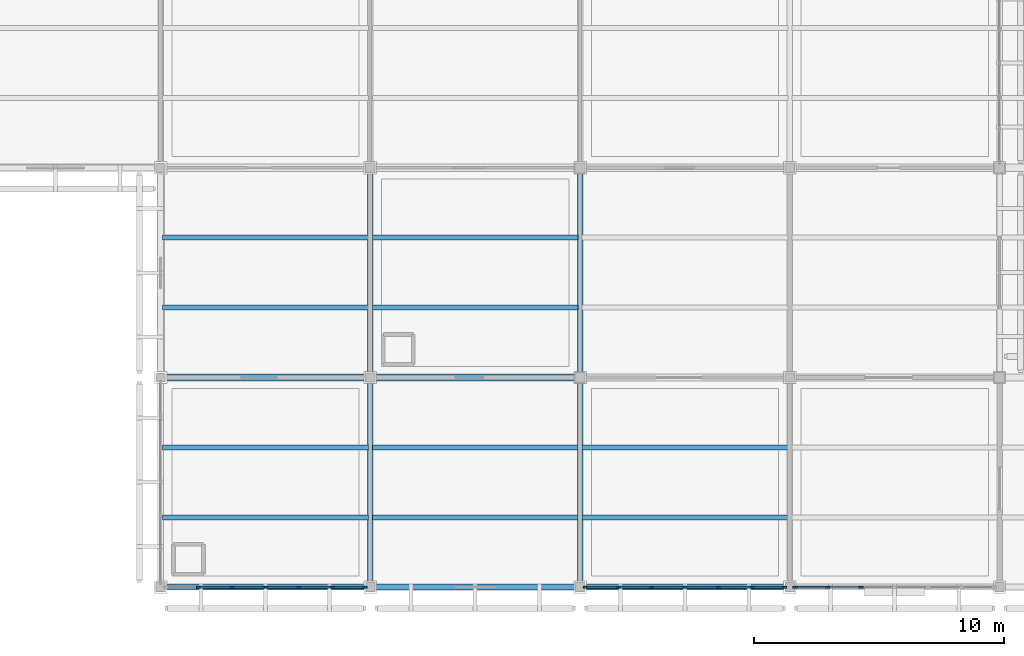
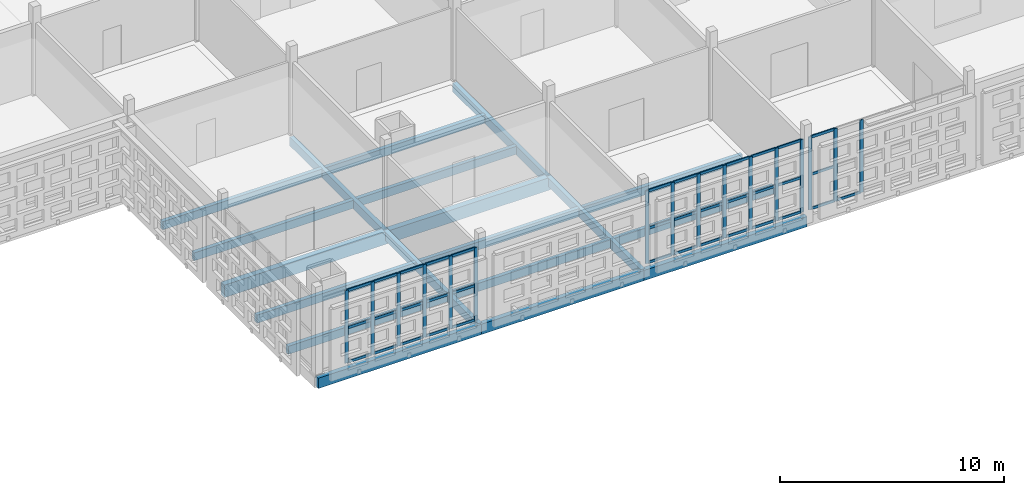
# One storey, part 65 of 203: 53 members, 19 beams, 3 elements without a shape of their own.
"""IFC4 building model written with IfcOpenShell, lengths in metres."""

from ifc_helpers import new_model, si_unit, direction, frame, origin, origin_2d, place, context, subcontext, project, spatial, rectangle, extrude, material, layer, layer_set, material_profile, profile_set, type_object, element, aggregate, save


model = new_model("IFC4")

# Units and contexts
model_context = context("Model", 3, precision=1e-05, world=origin(), true_north=direction((0.0, 1.0)))
body_context = subcontext(model_context, "Body", "Model", "MODEL_VIEW")
ifc_project = project(units=[si_unit("LENGTHUNIT", "METRE"), si_unit("AREAUNIT", "SQUARE_METRE"), si_unit("VOLUMEUNIT", "CUBIC_METRE"), si_unit("PLANEANGLEUNIT", "RADIAN"), si_unit("MASSUNIT", "GRAM", prefix="KILO")], contexts=[model_context])

# Site, building, storey
site_placement = place(None, origin())
site = spatial("IfcSite", under=ifc_project, at=site_placement, CompositionType="ELEMENT")
building_placement = place(site_placement, origin())
building = spatial("IfcBuilding", under=site, at=building_placement, Name="Varnapada Polytechnic", CompositionType="ELEMENT")
storey_placement = place(building_placement, frame((0.0, 0.0, 4.800048828125)))
storey = spatial("IfcBuildingStorey", under=building, at=storey_placement, Name="L01", CompositionType="ELEMENT", Elevation=4.800048828125)

# Beams
ifc_material_1 = material(Name="Glulam GL32h", Category="wood")
ifc_material_profile_1 = material_profile(ifc_material_1, rectangle(XDim=0.199951171875, YDim=0.43994140625, at=origin_2d()), Name="GL 200x440")
ifc_profile_set_1 = profile_set([ifc_material_profile_1], Name="Glulam GL32h")
beam_type_1 = type_object("IfcBeamType", Name="Heavy laboratory glulam joist GJ-03 (GL 200x440)", PredefinedType="JOIST", material=ifc_profile_set_1)
for number, where, z_axis, x_axis, name in (
    (1, (126.080078125, 2.800048828125, -0.469970703125), (1.0, 0.0, 0.0), (0.0, 1.0, 0.0), "L01 floor joist 16/1.1"),
    (2, (126.080078125, 5.60009765625, -0.469970703125), (1.0, 0.0, 0.0), (0.0, 1.0, 0.0), "L01 floor joist 16/1.2"),
    (3, (126.080078125, 11.199951171875, -0.469970703125), (1.0, 0.0, 0.0), (0.0, 1.0, 0.0), "L01 floor joist 16/2.1"),
    (4, (126.080078125, 14.0, -0.469970703125), (1.0, 0.0, 0.0), (0.0, 1.0, 0.0), "L01 floor joist 16/2.2"),
    (5, (134.47998046875, 2.800048828125, -0.469970703125), (1.0, 0.0, 0.0), (0.0, 1.0, 0.0), "L01 floor joist 17/1.1"),
    (6, (134.47998046875, 5.60009765625, -0.469970703125), (1.0, 0.0, 0.0), (0.0, 1.0, 0.0), "L01 floor joist 17/1.2"),
    (7, (134.47998046875, 11.199951171875, -0.469970703125), (1.0, 0.0, 0.0), (0.0, 1.0, 0.0), "L01 floor joist 17/2.1"),
    (8, (134.47998046875, 14.0, -0.469970703125), (1.0, 0.0, 0.0), (0.0, 1.0, 0.0), "L01 floor joist 17/2.2"),
):
    element("IfcBeam", number, at=place(storey_placement, frame(where, z_axis=z_axis, x_axis=x_axis)), inside=storey, type_object=beam_type_1, Name=name, PredefinedType="JOIST", context=body_context, shape_type="SweptSolid", body=[
        extrude(rectangle(XDim=0.199951171875, YDim=0.43994140625, at=origin_2d()), origin(), (0.0, 0.0, 1.0), 8.239990234375),
    ])
for number, where, z_axis, x_axis, name in (
    (9, (142.8798828125, 2.800048828125, -0.469970703125), (1.0, 0.0, 0.0), (0.0, 1.0, 0.0), "L01 floor joist 18/1.1"),
    (10, (142.8798828125, 5.60009765625, -0.469970703125), (1.0, 0.0, 0.0), (0.0, 1.0, 0.0), "L01 floor joist 18/1.2"),
):
    element("IfcBeam", number, at=place(storey_placement, frame(where, z_axis=z_axis, x_axis=x_axis)), inside=storey, type_object=beam_type_1, Name=name, PredefinedType="JOIST", context=body_context, shape_type="SweptSolid", body=[
        extrude(rectangle(XDim=0.199951171875, YDim=0.43994140625, at=origin_2d()), origin(), (0.0, 0.0, 1.0), 8.240234375),
    ])

# Curtain wall, members
ifc_material_2 = material(Name="Double low-E laminated glass", Category="glass")
ifc_layer = layer(ifc_material_2, 0.179931640625)
ifc_layer_set = layer_set([ifc_layer], Name="Double low-E laminated glass")
curtain_wall_type = type_object("IfcCurtainWallType", Name="Curtain Wall CW-04", PredefinedType="NOTDEFINED", material=ifc_layer_set)
curtain_wall_1_placement = place(storey_placement, origin())
curtain_wall_1 = element("IfcCurtainWall", 11, at=curtain_wall_1_placement, inside=storey, type_object=curtain_wall_type, Name="L01 unitised curtain wall CW-04 (92)", PredefinedType="NOTDEFINED")
ifc_material_3 = material(Name="Anodised aluminium", Category="aluminium")
ifc_material_profile_2 = material_profile(ifc_material_3, rectangle(XDim=0.06494140625, YDim=0.179931640625, at=origin_2d()), Name="ALU M65x180")
ifc_profile_set_2 = profile_set([ifc_material_profile_2], Name="Anodised aluminium")
member_type_1 = type_object("IfcMemberType", Name="Mullion M-02", PredefinedType="MULLION", material=ifc_profile_set_2)
member_1_placement = place(storey_placement, frame((134.1875, 0.0, 0.0), z_axis=(0.0, 0.0, 1.0), x_axis=(0.0, -1.0, 0.0)))
member_1 = element("IfcMember", 12, at=member_1_placement, type_object=member_type_1, Name="CW-04 mullion 1", PredefinedType="MULLION", context=body_context, shape_type="SweptSolid", body=[
    extrude(rectangle(XDim=0.06494140625, YDim=0.179931640625, at=origin_2d()), origin(), (0.0, 0.0, 1.0), 3.9599609375),
])
member_2_placement = place(storey_placement, frame((132.8798828125, 0.0, 0.0), z_axis=(0.0, 0.0, 1.0), x_axis=(0.0, -1.0, 0.0)))
member_2 = element("IfcMember", 13, at=member_2_placement, type_object=member_type_1, Name="CW-04 mullion 2", PredefinedType="MULLION", context=body_context, shape_type="SweptSolid", body=[
    extrude(rectangle(XDim=0.06494140625, YDim=0.179931640625, at=origin_2d()), origin(), (0.0, 0.0, 1.0), 3.9599609375),
])
member_3_placement = place(storey_placement, frame((131.5400390625, 0.0, 0.0), z_axis=(0.0, 0.0, 1.0), x_axis=(0.0, -1.0, 0.0)))
member_3 = element("IfcMember", 14, at=member_3_placement, type_object=member_type_1, Name="CW-04 mullion 3", PredefinedType="MULLION", context=body_context, shape_type="SweptSolid", body=[
    extrude(rectangle(XDim=0.06494140625, YDim=0.179931640625, at=origin_2d()), origin(), (0.0, 0.0, 1.0), 3.9599609375),
])
member_4_placement = place(storey_placement, frame((130.199951171875, 0.0, 0.0), z_axis=(0.0, 0.0, 1.0), x_axis=(0.0, -1.0, 0.0)))
member_4 = element("IfcMember", 15, at=member_4_placement, type_object=member_type_1, Name="CW-04 mullion 4", PredefinedType="MULLION", context=body_context, shape_type="SweptSolid", body=[
    extrude(rectangle(XDim=0.06494140625, YDim=0.179931640625, at=origin_2d()), origin(), (0.0, 0.0, 1.0), 3.9599609375),
])
member_5_placement = place(storey_placement, frame((128.860107421875, 0.0, 0.0), z_axis=(0.0, 0.0, 1.0), x_axis=(0.0, -1.0, 0.0)))
member_5 = element("IfcMember", 16, at=member_5_placement, type_object=member_type_1, Name="CW-04 mullion 5", PredefinedType="MULLION", context=body_context, shape_type="SweptSolid", body=[
    extrude(rectangle(XDim=0.06494140625, YDim=0.179931640625, at=origin_2d()), origin(), (0.0, 0.0, 1.0), 3.9599609375),
])
member_6_placement = place(storey_placement, frame((127.52001953125, 0.0, 0.0), z_axis=(0.0, 0.0, 1.0), x_axis=(0.0, -1.0, 0.0)))
member_6 = element("IfcMember", 17, at=member_6_placement, type_object=member_type_1, Name="CW-04 mullion 6", PredefinedType="MULLION", context=body_context, shape_type="SweptSolid", body=[
    extrude(rectangle(XDim=0.06494140625, YDim=0.179931640625, at=origin_2d()), origin(), (0.0, 0.0, 1.0), 3.9599609375),
])

curtain_wall_2_placement = place(storey_placement, origin())
curtain_wall_2 = element("IfcCurtainWall", 18, at=curtain_wall_2_placement, inside=storey, type_object=curtain_wall_type, Name="L01 unitised curtain wall CW-04 (106)", PredefinedType="NOTDEFINED")
member_7_placement = place(storey_placement, frame((150.987548828125, 0.0, 0.0), z_axis=(0.0, 0.0, 1.0), x_axis=(0.0, -1.0, 0.0)))
member_7 = element("IfcMember", 19, at=member_7_placement, type_object=member_type_1, Name="CW-04 mullion 1", PredefinedType="MULLION", context=body_context, shape_type="SweptSolid", body=[
    extrude(rectangle(XDim=0.06494140625, YDim=0.179931640625, at=origin_2d()), origin(), (0.0, 0.0, 1.0), 3.9599609375),
])
member_8_placement = place(storey_placement, frame((149.679931640625, 0.0, 0.0), z_axis=(0.0, 0.0, 1.0), x_axis=(0.0, -1.0, 0.0)))
member_8 = element("IfcMember", 20, at=member_8_placement, type_object=member_type_1, Name="CW-04 mullion 2", PredefinedType="MULLION", context=body_context, shape_type="SweptSolid", body=[
    extrude(rectangle(XDim=0.06494140625, YDim=0.179931640625, at=origin_2d()), origin(), (0.0, 0.0, 1.0), 3.9599609375),
])
member_9_placement = place(storey_placement, frame((148.340087890625, 0.0, 0.0), z_axis=(0.0, 0.0, 1.0), x_axis=(0.0, -1.0, 0.0)))
member_9 = element("IfcMember", 21, at=member_9_placement, type_object=member_type_1, Name="CW-04 mullion 3", PredefinedType="MULLION", context=body_context, shape_type="SweptSolid", body=[
    extrude(rectangle(XDim=0.06494140625, YDim=0.179931640625, at=origin_2d()), origin(), (0.0, 0.0, 1.0), 3.9599609375),
])
member_10_placement = place(storey_placement, frame((147.0, 0.0, 0.0), z_axis=(0.0, 0.0, 1.0), x_axis=(0.0, -1.0, 0.0)))
member_10 = element("IfcMember", 22, at=member_10_placement, type_object=member_type_1, Name="CW-04 mullion 4", PredefinedType="MULLION", context=body_context, shape_type="SweptSolid", body=[
    extrude(rectangle(XDim=0.06494140625, YDim=0.179931640625, at=origin_2d()), origin(), (0.0, 0.0, 1.0), 3.9599609375),
])
member_11_placement = place(storey_placement, frame((145.659912109375, 0.0, 0.0), z_axis=(0.0, 0.0, 1.0), x_axis=(0.0, -1.0, 0.0)))
member_11 = element("IfcMember", 23, at=member_11_placement, type_object=member_type_1, Name="CW-04 mullion 5", PredefinedType="MULLION", context=body_context, shape_type="SweptSolid", body=[
    extrude(rectangle(XDim=0.06494140625, YDim=0.179931640625, at=origin_2d()), origin(), (0.0, 0.0, 1.0), 3.9599609375),
])
member_12_placement = place(storey_placement, frame((144.320068359375, 0.0, 0.0), z_axis=(0.0, 0.0, 1.0), x_axis=(0.0, -1.0, 0.0)))
member_12 = element("IfcMember", 24, at=member_12_placement, type_object=member_type_1, Name="CW-04 mullion 6", PredefinedType="MULLION", context=body_context, shape_type="SweptSolid", body=[
    extrude(rectangle(XDim=0.06494140625, YDim=0.179931640625, at=origin_2d()), origin(), (0.0, 0.0, 1.0), 3.9599609375),
])
member_13_placement = place(storey_placement, frame((143.012451171875, 0.0, 0.0), z_axis=(0.0, 0.0, 1.0), x_axis=(0.0, -1.0, 0.0)))
member_13 = element("IfcMember", 25, at=member_13_placement, type_object=member_type_1, Name="CW-04 mullion 7", PredefinedType="MULLION", context=body_context, shape_type="SweptSolid", body=[
    extrude(rectangle(XDim=0.06494140625, YDim=0.179931640625, at=origin_2d()), origin(), (0.0, 0.0, 1.0), 3.9599609375),
])

curtain_wall_3_placement = place(storey_placement, origin())
curtain_wall_3 = element("IfcCurtainWall", 26, at=curtain_wall_3_placement, inside=storey, type_object=curtain_wall_type, Name="L01 unitised curtain wall CW-04 (109)", PredefinedType="NOTDEFINED")
member_14_placement = place(storey_placement, frame((154.06005859375, 0.0, 0.0), z_axis=(0.0, 0.0, 1.0), x_axis=(0.0, -1.0, 0.0)))
member_14 = element("IfcMember", 27, at=member_14_placement, type_object=member_type_1, Name="CW-04 mullion 5", PredefinedType="MULLION", context=body_context, shape_type="SweptSolid", body=[
    extrude(rectangle(XDim=0.06494140625, YDim=0.179931640625, at=origin_2d()), origin(), (0.0, 0.0, 1.0), 3.9599609375),
])
member_15_placement = place(storey_placement, frame((152.719970703125, 0.0, 0.0), z_axis=(0.0, 0.0, 1.0), x_axis=(0.0, -1.0, 0.0)))
member_15 = element("IfcMember", 28, at=member_15_placement, type_object=member_type_1, Name="CW-04 mullion 6", PredefinedType="MULLION", context=body_context, shape_type="SweptSolid", body=[
    extrude(rectangle(XDim=0.06494140625, YDim=0.179931640625, at=origin_2d()), origin(), (0.0, 0.0, 1.0), 3.9599609375),
])
member_16_placement = place(storey_placement, frame((151.41259765625, 0.0, 0.0), z_axis=(0.0, 0.0, 1.0), x_axis=(0.0, -1.0, 0.0)))
member_16 = element("IfcMember", 29, at=member_16_placement, type_object=member_type_1, Name="CW-04 mullion 7", PredefinedType="MULLION", context=body_context, shape_type="SweptSolid", body=[
    extrude(rectangle(XDim=0.06494140625, YDim=0.179931640625, at=origin_2d()), origin(), (0.0, 0.0, 1.0), 3.9599609375),
])

# Beams
ifc_material_profile_3 = material_profile(ifc_material_1, rectangle(XDim=0.239990234375, YDim=0.56005859375, at=origin_2d()), Name="GL 240x560")
ifc_profile_set_3 = profile_set([ifc_material_profile_3], Name="Glulam GL32h")
beam_type_2 = type_object("IfcBeamType", Name="Perimeter glulam spandrel beam SP-02 (GL 240x560)", PredefinedType="SPANDREL", material=ifc_profile_set_3)
beam_1_placement = place(storey_placement, frame((126.0, 0.0, -0.530029296875), z_axis=(1.0, 0.0, 0.0), x_axis=(0.0, 1.0, 0.0)))
element("IfcBeam", 30, at=beam_1_placement, inside=storey, type_object=beam_type_2, Name="L01 beam X 16-17 at Y1", PredefinedType="SPANDREL", context=body_context, shape_type="SweptSolid", body=[
    extrude(rectangle(XDim=0.239990234375, YDim=0.56005859375, at=origin_2d()), origin(), (0.0, 0.0, 1.0), 8.39990234375),
])
beam_2_placement = place(storey_placement, frame((134.39990234375, 0.0, -0.530029296875), z_axis=(1.0, 0.0, 0.0), x_axis=(0.0, 1.0, 0.0)))
element("IfcBeam", 31, at=beam_2_placement, inside=storey, type_object=beam_type_2, Name="L01 beam X 17-18 at Y1", PredefinedType="SPANDREL", context=body_context, shape_type="SweptSolid", body=[
    extrude(rectangle(XDim=0.239990234375, YDim=0.56005859375, at=origin_2d()), origin(), (0.0, 0.0, 1.0), 8.400146484375),
])
beam_3_placement = place(storey_placement, frame((142.800048828125, 0.0, -0.530029296875), z_axis=(1.0, 0.0, 0.0), x_axis=(0.0, 1.0, 0.0)))
element("IfcBeam", 32, at=beam_3_placement, inside=storey, type_object=beam_type_2, Name="L01 beam X 18-19 at Y1", PredefinedType="SPANDREL", context=body_context, shape_type="SweptSolid", body=[
    extrude(rectangle(XDim=0.239990234375, YDim=0.56005859375, at=origin_2d()), origin(), (0.0, 0.0, 1.0), 8.39990234375),
])

# Member
ifc_material_profile_4 = material_profile(ifc_material_3, rectangle(XDim=0.06494140625, YDim=0.139892578125, at=origin_2d()), Name="ALU T65x140")
ifc_profile_set_4 = profile_set([ifc_material_profile_4], Name="Anodised aluminium")
member_type_2 = type_object("IfcMemberType", Name="Transom T-02", PredefinedType="USERDEFINED", material=ifc_profile_set_4)
member_17_placement = place(storey_placement, frame((134.155029296875, 0.0, 0.032470703125), z_axis=(-1.0, 0.0, 0.0), x_axis=(0.0, -1.0, 0.0)))
member_17 = element("IfcMember", 33, at=member_17_placement, type_object=member_type_2, Name="CW-04 transom 1.1", ObjectType="TRANSOM", PredefinedType="USERDEFINED", context=body_context, shape_type="SweptSolid", body=[
    extrude(rectangle(XDim=0.06494140625, YDim=0.139892578125, at=origin_2d()), origin(), (0.0, 0.0, 1.0), 1.242431640625),
])

member_18_placement = place(storey_placement, frame((134.155029296875, 0.0, 1.900634765625), z_axis=(-1.0, 0.0, 0.0), x_axis=(0.0, -1.0, 0.0)))
member_18 = element("IfcMember", 34, at=member_18_placement, type_object=member_type_2, Name="CW-04 transom 1.2", ObjectType="TRANSOM", PredefinedType="USERDEFINED", context=body_context, shape_type="SweptSolid", body=[
    extrude(rectangle(XDim=0.06494140625, YDim=0.139892578125, at=origin_2d()), origin(), (0.0, 0.0, 1.0), 1.242431640625),
])

member_19_placement = place(storey_placement, frame((134.155029296875, 0.0, 3.927490234375), z_axis=(-1.0, 0.0, 0.0), x_axis=(0.0, -1.0, 0.0)))
member_19 = element("IfcMember", 35, at=member_19_placement, type_object=member_type_2, Name="CW-04 transom 1.3", ObjectType="TRANSOM", PredefinedType="USERDEFINED", context=body_context, shape_type="SweptSolid", body=[
    extrude(rectangle(XDim=0.06494140625, YDim=0.139892578125, at=origin_2d()), origin(), (0.0, 0.0, 1.0), 1.242431640625),
])

member_20_placement = place(storey_placement, frame((132.847412109375, 0.0, 0.032470703125), z_axis=(-1.0, 0.0, 0.0), x_axis=(0.0, -1.0, 0.0)))
member_20 = element("IfcMember", 36, at=member_20_placement, type_object=member_type_2, Name="CW-04 transom 2.1", ObjectType="TRANSOM", PredefinedType="USERDEFINED", context=body_context, shape_type="SweptSolid", body=[
    extrude(rectangle(XDim=0.06494140625, YDim=0.139892578125, at=origin_2d()), origin(), (0.0, 0.0, 1.0), 1.27490234375),
])

member_21_placement = place(storey_placement, frame((132.847412109375, 0.0, 1.900634765625), z_axis=(-1.0, 0.0, 0.0), x_axis=(0.0, -1.0, 0.0)))
member_21 = element("IfcMember", 37, at=member_21_placement, type_object=member_type_2, Name="CW-04 transom 2.2", ObjectType="TRANSOM", PredefinedType="USERDEFINED", context=body_context, shape_type="SweptSolid", body=[
    extrude(rectangle(XDim=0.06494140625, YDim=0.139892578125, at=origin_2d()), origin(), (0.0, 0.0, 1.0), 1.27490234375),
])

member_22_placement = place(storey_placement, frame((132.847412109375, 0.0, 3.927490234375), z_axis=(-1.0, 0.0, 0.0), x_axis=(0.0, -1.0, 0.0)))
member_22 = element("IfcMember", 38, at=member_22_placement, type_object=member_type_2, Name="CW-04 transom 2.3", ObjectType="TRANSOM", PredefinedType="USERDEFINED", context=body_context, shape_type="SweptSolid", body=[
    extrude(rectangle(XDim=0.06494140625, YDim=0.139892578125, at=origin_2d()), origin(), (0.0, 0.0, 1.0), 1.27490234375),
])

member_23_placement = place(storey_placement, frame((131.507568359375, 0.0, 0.032470703125), z_axis=(-1.0, 0.0, 0.0), x_axis=(0.0, -1.0, 0.0)))
member_23 = element("IfcMember", 39, at=member_23_placement, type_object=member_type_2, Name="CW-04 transom 3.1", ObjectType="TRANSOM", PredefinedType="USERDEFINED", context=body_context, shape_type="SweptSolid", body=[
    extrude(rectangle(XDim=0.06494140625, YDim=0.139892578125, at=origin_2d()), origin(), (0.0, 0.0, 1.0), 1.275146484375),
])

member_24_placement = place(storey_placement, frame((131.507568359375, 0.0, 1.900634765625), z_axis=(-1.0, 0.0, 0.0), x_axis=(0.0, -1.0, 0.0)))
member_24 = element("IfcMember", 40, at=member_24_placement, type_object=member_type_2, Name="CW-04 transom 3.2", ObjectType="TRANSOM", PredefinedType="USERDEFINED", context=body_context, shape_type="SweptSolid", body=[
    extrude(rectangle(XDim=0.06494140625, YDim=0.139892578125, at=origin_2d()), origin(), (0.0, 0.0, 1.0), 1.275146484375),
])

member_25_placement = place(storey_placement, frame((131.507568359375, 0.0, 3.927490234375), z_axis=(-1.0, 0.0, 0.0), x_axis=(0.0, -1.0, 0.0)))
member_25 = element("IfcMember", 41, at=member_25_placement, type_object=member_type_2, Name="CW-04 transom 3.3", ObjectType="TRANSOM", PredefinedType="USERDEFINED", context=body_context, shape_type="SweptSolid", body=[
    extrude(rectangle(XDim=0.06494140625, YDim=0.139892578125, at=origin_2d()), origin(), (0.0, 0.0, 1.0), 1.275146484375),
])

member_26_placement = place(storey_placement, frame((130.16748046875, 0.0, 0.032470703125), z_axis=(-1.0, 0.0, 0.0), x_axis=(0.0, -1.0, 0.0)))
member_26 = element("IfcMember", 42, at=member_26_placement, type_object=member_type_2, Name="CW-04 transom 4.1", ObjectType="TRANSOM", PredefinedType="USERDEFINED", context=body_context, shape_type="SweptSolid", body=[
    extrude(rectangle(XDim=0.06494140625, YDim=0.139892578125, at=origin_2d()), origin(), (0.0, 0.0, 1.0), 1.27490234375),
])

member_27_placement = place(storey_placement, frame((130.16748046875, 0.0, 1.900634765625), z_axis=(-1.0, 0.0, 0.0), x_axis=(0.0, -1.0, 0.0)))
member_27 = element("IfcMember", 43, at=member_27_placement, type_object=member_type_2, Name="CW-04 transom 4.2", ObjectType="TRANSOM", PredefinedType="USERDEFINED", context=body_context, shape_type="SweptSolid", body=[
    extrude(rectangle(XDim=0.06494140625, YDim=0.139892578125, at=origin_2d()), origin(), (0.0, 0.0, 1.0), 1.27490234375),
])

member_28_placement = place(storey_placement, frame((130.16748046875, 0.0, 3.927490234375), z_axis=(-1.0, 0.0, 0.0), x_axis=(0.0, -1.0, 0.0)))
member_28 = element("IfcMember", 44, at=member_28_placement, type_object=member_type_2, Name="CW-04 transom 4.3", ObjectType="TRANSOM", PredefinedType="USERDEFINED", context=body_context, shape_type="SweptSolid", body=[
    extrude(rectangle(XDim=0.06494140625, YDim=0.139892578125, at=origin_2d()), origin(), (0.0, 0.0, 1.0), 1.27490234375),
])

member_29_placement = place(storey_placement, frame((128.827392578125, 0.0, 0.032470703125), z_axis=(-1.0, 0.0, 0.0), x_axis=(0.0, -1.0, 0.0)))
member_29 = element("IfcMember", 45, at=member_29_placement, type_object=member_type_2, Name="CW-04 transom 5.1", ObjectType="TRANSOM", PredefinedType="USERDEFINED", context=body_context, shape_type="SweptSolid", body=[
    extrude(rectangle(XDim=0.06494140625, YDim=0.139892578125, at=origin_2d()), origin(), (0.0, 0.0, 1.0), 1.27490234375),
])

member_30_placement = place(storey_placement, frame((128.827392578125, 0.0, 1.900634765625), z_axis=(-1.0, 0.0, 0.0), x_axis=(0.0, -1.0, 0.0)))
member_30 = element("IfcMember", 46, at=member_30_placement, type_object=member_type_2, Name="CW-04 transom 5.2", ObjectType="TRANSOM", PredefinedType="USERDEFINED", context=body_context, shape_type="SweptSolid", body=[
    extrude(rectangle(XDim=0.06494140625, YDim=0.139892578125, at=origin_2d()), origin(), (0.0, 0.0, 1.0), 1.27490234375),
])

member_31_placement = place(storey_placement, frame((128.827392578125, 0.0, 3.927490234375), z_axis=(-1.0, 0.0, 0.0), x_axis=(0.0, -1.0, 0.0)))
member_31 = element("IfcMember", 47, at=member_31_placement, type_object=member_type_2, Name="CW-04 transom 5.3", ObjectType="TRANSOM", PredefinedType="USERDEFINED", context=body_context, shape_type="SweptSolid", body=[
    extrude(rectangle(XDim=0.06494140625, YDim=0.139892578125, at=origin_2d()), origin(), (0.0, 0.0, 1.0), 1.27490234375),
])

aggregate(curtain_wall_1, [member_1, member_2, member_3, member_4, member_5, member_6, member_17, member_18, member_19, member_20, member_21, member_22, member_23, member_24, member_25, member_26, member_27, member_28, member_29, member_30, member_31])

member_32_placement = place(storey_placement, frame((150.955078125, 0.0, 0.032470703125), z_axis=(-1.0, 0.0, 0.0), x_axis=(0.0, -1.0, 0.0)))
member_32 = element("IfcMember", 48, at=member_32_placement, type_object=member_type_2, Name="CW-04 transom 1.1", ObjectType="TRANSOM", PredefinedType="USERDEFINED", context=body_context, shape_type="SweptSolid", body=[
    extrude(rectangle(XDim=0.06494140625, YDim=0.139892578125, at=origin_2d()), origin(), (0.0, 0.0, 1.0), 1.24267578125),
])

member_33_placement = place(storey_placement, frame((150.955078125, 0.0, 1.900634765625), z_axis=(-1.0, 0.0, 0.0), x_axis=(0.0, -1.0, 0.0)))
member_33 = element("IfcMember", 49, at=member_33_placement, type_object=member_type_2, Name="CW-04 transom 1.2", ObjectType="TRANSOM", PredefinedType="USERDEFINED", context=body_context, shape_type="SweptSolid", body=[
    extrude(rectangle(XDim=0.06494140625, YDim=0.139892578125, at=origin_2d()), origin(), (0.0, 0.0, 1.0), 1.24267578125),
])

member_34_placement = place(storey_placement, frame((150.955078125, 0.0, 3.927490234375), z_axis=(-1.0, 0.0, 0.0), x_axis=(0.0, -1.0, 0.0)))
member_34 = element("IfcMember", 50, at=member_34_placement, type_object=member_type_2, Name="CW-04 transom 1.3", ObjectType="TRANSOM", PredefinedType="USERDEFINED", context=body_context, shape_type="SweptSolid", body=[
    extrude(rectangle(XDim=0.06494140625, YDim=0.139892578125, at=origin_2d()), origin(), (0.0, 0.0, 1.0), 1.24267578125),
])

member_35_placement = place(storey_placement, frame((149.6474609375, 0.0, 0.032470703125), z_axis=(-1.0, 0.0, 0.0), x_axis=(0.0, -1.0, 0.0)))
member_35 = element("IfcMember", 51, at=member_35_placement, type_object=member_type_2, Name="CW-04 transom 2.1", ObjectType="TRANSOM", PredefinedType="USERDEFINED", context=body_context, shape_type="SweptSolid", body=[
    extrude(rectangle(XDim=0.06494140625, YDim=0.139892578125, at=origin_2d()), origin(), (0.0, 0.0, 1.0), 1.27490234375),
])

member_36_placement = place(storey_placement, frame((149.6474609375, 0.0, 1.900634765625), z_axis=(-1.0, 0.0, 0.0), x_axis=(0.0, -1.0, 0.0)))
member_36 = element("IfcMember", 52, at=member_36_placement, type_object=member_type_2, Name="CW-04 transom 2.2", ObjectType="TRANSOM", PredefinedType="USERDEFINED", context=body_context, shape_type="SweptSolid", body=[
    extrude(rectangle(XDim=0.06494140625, YDim=0.139892578125, at=origin_2d()), origin(), (0.0, 0.0, 1.0), 1.27490234375),
])

member_37_placement = place(storey_placement, frame((149.6474609375, 0.0, 3.927490234375), z_axis=(-1.0, 0.0, 0.0), x_axis=(0.0, -1.0, 0.0)))
member_37 = element("IfcMember", 53, at=member_37_placement, type_object=member_type_2, Name="CW-04 transom 2.3", ObjectType="TRANSOM", PredefinedType="USERDEFINED", context=body_context, shape_type="SweptSolid", body=[
    extrude(rectangle(XDim=0.06494140625, YDim=0.139892578125, at=origin_2d()), origin(), (0.0, 0.0, 1.0), 1.27490234375),
])

member_38_placement = place(storey_placement, frame((148.3076171875, 0.0, 0.032470703125), z_axis=(-1.0, 0.0, 0.0), x_axis=(0.0, -1.0, 0.0)))
member_38 = element("IfcMember", 54, at=member_38_placement, type_object=member_type_2, Name="CW-04 transom 3.1", ObjectType="TRANSOM", PredefinedType="USERDEFINED", context=body_context, shape_type="SweptSolid", body=[
    extrude(rectangle(XDim=0.06494140625, YDim=0.139892578125, at=origin_2d()), origin(), (0.0, 0.0, 1.0), 1.275146484375),
])

member_39_placement = place(storey_placement, frame((148.3076171875, 0.0, 1.900634765625), z_axis=(-1.0, 0.0, 0.0), x_axis=(0.0, -1.0, 0.0)))
member_39 = element("IfcMember", 55, at=member_39_placement, type_object=member_type_2, Name="CW-04 transom 3.2", ObjectType="TRANSOM", PredefinedType="USERDEFINED", context=body_context, shape_type="SweptSolid", body=[
    extrude(rectangle(XDim=0.06494140625, YDim=0.139892578125, at=origin_2d()), origin(), (0.0, 0.0, 1.0), 1.275146484375),
])

member_40_placement = place(storey_placement, frame((148.3076171875, 0.0, 3.927490234375), z_axis=(-1.0, 0.0, 0.0), x_axis=(0.0, -1.0, 0.0)))
member_40 = element("IfcMember", 56, at=member_40_placement, type_object=member_type_2, Name="CW-04 transom 3.3", ObjectType="TRANSOM", PredefinedType="USERDEFINED", context=body_context, shape_type="SweptSolid", body=[
    extrude(rectangle(XDim=0.06494140625, YDim=0.139892578125, at=origin_2d()), origin(), (0.0, 0.0, 1.0), 1.275146484375),
])

member_41_placement = place(storey_placement, frame((146.967529296875, 0.0, 0.032470703125), z_axis=(-1.0, 0.0, 0.0), x_axis=(0.0, -1.0, 0.0)))
member_41 = element("IfcMember", 57, at=member_41_placement, type_object=member_type_2, Name="CW-04 transom 4.1", ObjectType="TRANSOM", PredefinedType="USERDEFINED", context=body_context, shape_type="SweptSolid", body=[
    extrude(rectangle(XDim=0.06494140625, YDim=0.139892578125, at=origin_2d()), origin(), (0.0, 0.0, 1.0), 1.275146484375),
])

member_42_placement = place(storey_placement, frame((146.967529296875, 0.0, 1.900634765625), z_axis=(-1.0, 0.0, 0.0), x_axis=(0.0, -1.0, 0.0)))
member_42 = element("IfcMember", 58, at=member_42_placement, type_object=member_type_2, Name="CW-04 transom 4.2", ObjectType="TRANSOM", PredefinedType="USERDEFINED", context=body_context, shape_type="SweptSolid", body=[
    extrude(rectangle(XDim=0.06494140625, YDim=0.139892578125, at=origin_2d()), origin(), (0.0, 0.0, 1.0), 1.275146484375),
])

member_43_placement = place(storey_placement, frame((146.967529296875, 0.0, 3.927490234375), z_axis=(-1.0, 0.0, 0.0), x_axis=(0.0, -1.0, 0.0)))
member_43 = element("IfcMember", 59, at=member_43_placement, type_object=member_type_2, Name="CW-04 transom 4.3", ObjectType="TRANSOM", PredefinedType="USERDEFINED", context=body_context, shape_type="SweptSolid", body=[
    extrude(rectangle(XDim=0.06494140625, YDim=0.139892578125, at=origin_2d()), origin(), (0.0, 0.0, 1.0), 1.275146484375),
])

member_44_placement = place(storey_placement, frame((145.62744140625, 0.0, 0.032470703125), z_axis=(-1.0, 0.0, 0.0), x_axis=(0.0, -1.0, 0.0)))
member_44 = element("IfcMember", 60, at=member_44_placement, type_object=member_type_2, Name="CW-04 transom 5.1", ObjectType="TRANSOM", PredefinedType="USERDEFINED", context=body_context, shape_type="SweptSolid", body=[
    extrude(rectangle(XDim=0.06494140625, YDim=0.139892578125, at=origin_2d()), origin(), (0.0, 0.0, 1.0), 1.27490234375),
])

member_45_placement = place(storey_placement, frame((145.62744140625, 0.0, 1.900634765625), z_axis=(-1.0, 0.0, 0.0), x_axis=(0.0, -1.0, 0.0)))
member_45 = element("IfcMember", 61, at=member_45_placement, type_object=member_type_2, Name="CW-04 transom 5.2", ObjectType="TRANSOM", PredefinedType="USERDEFINED", context=body_context, shape_type="SweptSolid", body=[
    extrude(rectangle(XDim=0.06494140625, YDim=0.139892578125, at=origin_2d()), origin(), (0.0, 0.0, 1.0), 1.27490234375),
])

member_46_placement = place(storey_placement, frame((145.62744140625, 0.0, 3.927490234375), z_axis=(-1.0, 0.0, 0.0), x_axis=(0.0, -1.0, 0.0)))
member_46 = element("IfcMember", 62, at=member_46_placement, type_object=member_type_2, Name="CW-04 transom 5.3", ObjectType="TRANSOM", PredefinedType="USERDEFINED", context=body_context, shape_type="SweptSolid", body=[
    extrude(rectangle(XDim=0.06494140625, YDim=0.139892578125, at=origin_2d()), origin(), (0.0, 0.0, 1.0), 1.27490234375),
])

member_47_placement = place(storey_placement, frame((144.28759765625, 0.0, 0.032470703125), z_axis=(-1.0, 0.0, 0.0), x_axis=(0.0, -1.0, 0.0)))
member_47 = element("IfcMember", 63, at=member_47_placement, type_object=member_type_2, Name="CW-04 transom 6.1", ObjectType="TRANSOM", PredefinedType="USERDEFINED", context=body_context, shape_type="SweptSolid", body=[
    extrude(rectangle(XDim=0.06494140625, YDim=0.139892578125, at=origin_2d()), origin(), (0.0, 0.0, 1.0), 1.24267578125),
])

member_48_placement = place(storey_placement, frame((144.28759765625, 0.0, 1.900634765625), z_axis=(-1.0, 0.0, 0.0), x_axis=(0.0, -1.0, 0.0)))
member_48 = element("IfcMember", 64, at=member_48_placement, type_object=member_type_2, Name="CW-04 transom 6.2", ObjectType="TRANSOM", PredefinedType="USERDEFINED", context=body_context, shape_type="SweptSolid", body=[
    extrude(rectangle(XDim=0.06494140625, YDim=0.139892578125, at=origin_2d()), origin(), (0.0, 0.0, 1.0), 1.24267578125),
])

member_49_placement = place(storey_placement, frame((144.28759765625, 0.0, 3.927490234375), z_axis=(-1.0, 0.0, 0.0), x_axis=(0.0, -1.0, 0.0)))
member_49 = element("IfcMember", 65, at=member_49_placement, type_object=member_type_2, Name="CW-04 transom 6.3", ObjectType="TRANSOM", PredefinedType="USERDEFINED", context=body_context, shape_type="SweptSolid", body=[
    extrude(rectangle(XDim=0.06494140625, YDim=0.139892578125, at=origin_2d()), origin(), (0.0, 0.0, 1.0), 1.24267578125),
])

aggregate(curtain_wall_2, [member_7, member_8, member_9, member_10, member_11, member_12, member_13, member_32, member_33, member_34, member_35, member_36, member_37, member_38, member_39, member_40, member_41, member_42, member_43, member_44, member_45, member_46, member_47, member_48, member_49])

member_50_placement = place(storey_placement, frame((154.027587890625, 0.0, 0.032470703125), z_axis=(-1.0, 0.0, 0.0), x_axis=(0.0, -1.0, 0.0)))
member_50 = element("IfcMember", 66, at=member_50_placement, type_object=member_type_2, Name="CW-04 transom 5.1", ObjectType="TRANSOM", PredefinedType="USERDEFINED", context=body_context, shape_type="SweptSolid", body=[
    extrude(rectangle(XDim=0.06494140625, YDim=0.139892578125, at=origin_2d()), origin(), (0.0, 0.0, 1.0), 1.275146484375),
])

member_51_placement = place(storey_placement, frame((152.6875, 0.0, 0.032470703125), z_axis=(-1.0, 0.0, 0.0), x_axis=(0.0, -1.0, 0.0)))
member_51 = element("IfcMember", 67, at=member_51_placement, type_object=member_type_2, Name="CW-04 transom 6.1", ObjectType="TRANSOM", PredefinedType="USERDEFINED", context=body_context, shape_type="SweptSolid", body=[
    extrude(rectangle(XDim=0.06494140625, YDim=0.139892578125, at=origin_2d()), origin(), (0.0, 0.0, 1.0), 1.242431640625),
])

member_52_placement = place(storey_placement, frame((152.6875, 0.0, 1.900634765625), z_axis=(-1.0, 0.0, 0.0), x_axis=(0.0, -1.0, 0.0)))
member_52 = element("IfcMember", 68, at=member_52_placement, type_object=member_type_2, Name="CW-04 transom 6.2", ObjectType="TRANSOM", PredefinedType="USERDEFINED", context=body_context, shape_type="SweptSolid", body=[
    extrude(rectangle(XDim=0.06494140625, YDim=0.139892578125, at=origin_2d()), origin(), (0.0, 0.0, 1.0), 1.242431640625),
])

member_53_placement = place(storey_placement, frame((152.6875, 0.0, 3.927490234375), z_axis=(-1.0, 0.0, 0.0), x_axis=(0.0, -1.0, 0.0)))
member_53 = element("IfcMember", 69, at=member_53_placement, type_object=member_type_2, Name="CW-04 transom 6.3", ObjectType="TRANSOM", PredefinedType="USERDEFINED", context=body_context, shape_type="SweptSolid", body=[
    extrude(rectangle(XDim=0.06494140625, YDim=0.139892578125, at=origin_2d()), origin(), (0.0, 0.0, 1.0), 1.242431640625),
])

aggregate(curtain_wall_3, [member_14, member_15, member_16, member_50, member_51, member_52, member_53])

# Beams
ifc_material_profile_5 = material_profile(ifc_material_1, rectangle(XDim=0.219970703125, YDim=0.47998046875, at=origin_2d()), Name="GL 220x480")
ifc_profile_set_5 = profile_set([ifc_material_profile_5], Name="Glulam GL32h")
beam_type_3 = type_object("IfcBeamType", Name="Upper floor glulam tie beam GB-11 (GL 220x480)", PredefinedType="BEAM", material=ifc_profile_set_5)
beam_4_placement = place(storey_placement, frame((134.39990234375, 0.0, -0.489990234375), z_axis=(0.0, 1.0, 0.0), x_axis=(-1.0, 0.0, 0.0)))
element("IfcBeam", 70, at=beam_4_placement, inside=storey, type_object=beam_type_3, Name="L01 beam Y 1-2 at X17", PredefinedType="BEAM", context=body_context, shape_type="SweptSolid", body=[
    extrude(rectangle(XDim=0.219970703125, YDim=0.47998046875, at=origin_2d()), origin(), (0.0, 0.0, 1.0), 8.39990234375),
])
beam_5_placement = place(storey_placement, frame((134.39990234375, 8.39990234375, -0.489990234375), z_axis=(0.0, 1.0, 0.0), x_axis=(-1.0, 0.0, 0.0)))
element("IfcBeam", 71, at=beam_5_placement, inside=storey, type_object=beam_type_3, Name="L01 beam Y 2-3 at X17", PredefinedType="BEAM", context=body_context, shape_type="SweptSolid", body=[
    extrude(rectangle(XDim=0.219970703125, YDim=0.47998046875, at=origin_2d()), origin(), (0.0, 0.0, 1.0), 8.400146484375),
])
beam_6_placement = place(storey_placement, frame((142.800048828125, 0.0, -0.489990234375), z_axis=(0.0, 1.0, 0.0), x_axis=(-1.0, 0.0, 0.0)))
element("IfcBeam", 72, at=beam_6_placement, inside=storey, type_object=beam_type_3, Name="L01 beam Y 1-2 at X18", PredefinedType="BEAM", context=body_context, shape_type="SweptSolid", body=[
    extrude(rectangle(XDim=0.219970703125, YDim=0.47998046875, at=origin_2d()), origin(), (0.0, 0.0, 1.0), 8.39990234375),
])
beam_7_placement = place(storey_placement, frame((142.800048828125, 8.39990234375, -0.489990234375), z_axis=(0.0, 1.0, 0.0), x_axis=(-1.0, 0.0, 0.0)))
element("IfcBeam", 73, at=beam_7_placement, inside=storey, type_object=beam_type_3, Name="L01 beam Y 2-3 at X18", PredefinedType="BEAM", context=body_context, shape_type="SweptSolid", body=[
    extrude(rectangle(XDim=0.219970703125, YDim=0.47998046875, at=origin_2d()), origin(), (0.0, 0.0, 1.0), 8.400146484375),
])
ifc_material_profile_6 = material_profile(ifc_material_1, rectangle(XDim=0.300048828125, YDim=0.679931640625, at=origin_2d()), Name="GL 300x680")
ifc_profile_set_6 = profile_set([ifc_material_profile_6], Name="Glulam GL32h")
beam_type_4 = type_object("IfcBeamType", Name="Wet laboratory glulam girder GG-04 (GL 300x680)", PredefinedType="BEAM", material=ifc_profile_set_6)
beam_8_placement = place(storey_placement, frame((126.0, 8.39990234375, -0.590087890625), z_axis=(1.0, 0.0, 0.0), x_axis=(0.0, 1.0, 0.0)))
element("IfcBeam", 74, at=beam_8_placement, inside=storey, type_object=beam_type_4, Name="L01 beam X 16-17 at Y2", PredefinedType="BEAM", context=body_context, shape_type="SweptSolid", body=[
    extrude(rectangle(XDim=0.300048828125, YDim=0.679931640625, at=origin_2d()), origin(), (0.0, 0.0, 1.0), 8.39990234375),
])
beam_9_placement = place(storey_placement, frame((134.39990234375, 8.39990234375, -0.590087890625), z_axis=(1.0, 0.0, 0.0), x_axis=(0.0, 1.0, 0.0)))
element("IfcBeam", 75, at=beam_9_placement, inside=storey, type_object=beam_type_4, Name="L01 beam X 17-18 at Y2", PredefinedType="BEAM", context=body_context, shape_type="SweptSolid", body=[
    extrude(rectangle(XDim=0.300048828125, YDim=0.679931640625, at=origin_2d()), origin(), (0.0, 0.0, 1.0), 8.400146484375),
])

save(model, "model.ifc")
